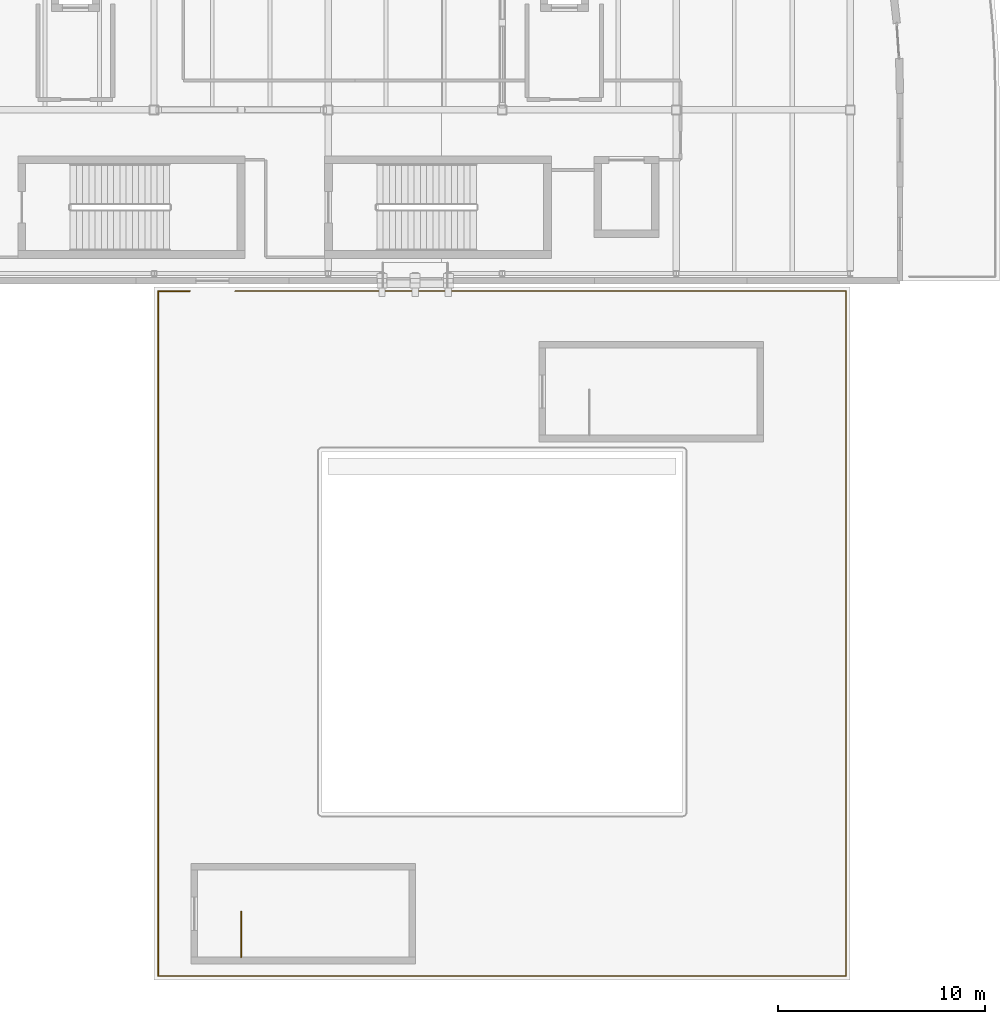
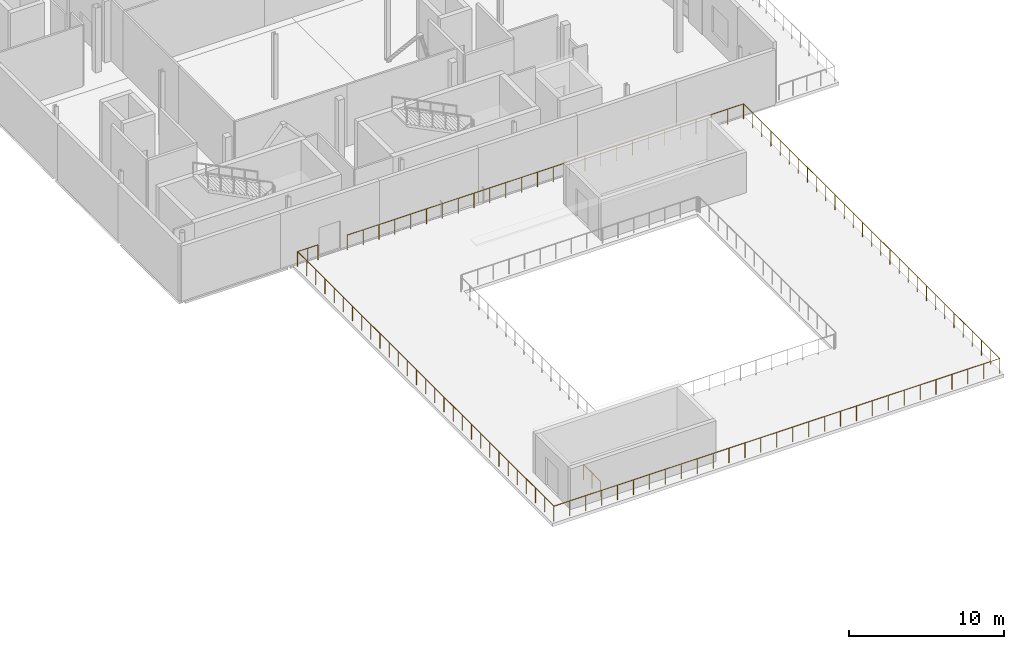
# One storey, part 53 of 57: 3 railings.
"""IFC4 building model written with IfcOpenShell, lengths in metres."""

import ifcopenshell
import ifcopenshell.guid

model = None  # the IFC model being written
_history = None  # IfcOwnerHistory: only IFC2X3 demands one
_inside = {}  # id of a spatial element -> (the spatial element, [elements in it])
_under = {}  # id of a project, library or spatial element -> (it, [spatial elements below it])
_declared = {}  # id of a project -> (the project, [libraries it declares])
_typed = {}  # id of a type object -> (the type object, [elements of that type])
_made_of = {}  # id of a material, layer set ... -> (it, [elements and type objects made of it])


def new_model(schema):
    """Start an empty IFC model of exactly this schema.

    Asked for "IFC4X3", IfcOpenShell would pick the latest addendum, in which some entities
    have other attributes; the version numbers below select the first issue.
    IFC2X3 requires an IfcOwnerHistory on every rooted entity: one is made here for all.
    """
    global model, _history
    if schema == "IFC4X3":
        model = ifcopenshell.file(schema_version=(4, 3, 0, 0))
    else:
        model = ifcopenshell.file(schema=schema)
    _inside.clear()
    _under.clear()
    _declared.clear()
    _typed.clear()
    _made_of.clear()
    _history = None
    if model.schema == "IFC2X3":
        org = make("IfcOrganization", Name="unknown")
        user = make(
            "IfcPersonAndOrganization",
            ThePerson=make("IfcPerson", FamilyName="unknown"),
            TheOrganization=org,
        )
        app = make(
            "IfcApplication",
            ApplicationDeveloper=org,
            Version="unknown",
            ApplicationFullName="unknown",
            ApplicationIdentifier="unknown",
        )
        _history = make(
            "IfcOwnerHistory",
            OwningUser=user,
            OwningApplication=app,
            ChangeAction="ADDED",
            CreationDate=0,
        )
    return model


def make(cls, **values):
    """One entity of the class cls with the attributes given. An attribute that is None is left unset."""
    return model.create_entity(
        cls, **{name: value for name, value in values.items() if value is not None}
    )


def rooted(cls, **values):
    """An entity with a GlobalId (a new one), such as an element, a storey or a relation."""
    return make(cls, GlobalId=ifcopenshell.guid.new(), OwnerHistory=_history, **values)


def si_unit(unit_type, name, prefix=None):
    """IfcSIUnit, for example si_unit("LENGTHUNIT", "METRE", prefix="MILLI")."""
    return make("IfcSIUnit", UnitType=unit_type, Prefix=prefix, Name=name)


def assignment(units):
    """IfcUnitAssignment: the units of a project."""
    return None if units is None else make("IfcUnitAssignment", Units=units)


def point(xyz):
    """IfcCartesianPoint."""
    return None if xyz is None else make("IfcCartesianPoint", Coordinates=xyz)


def direction(xyz):
    """IfcDirection."""
    return None if xyz is None else make("IfcDirection", DirectionRatios=xyz)


def frame(location, z_axis=None, x_axis=None):
    """IfcAxis2Placement3D, a coordinate frame: its origin and axes. An axis left out is left unset."""
    return make(
        "IfcAxis2Placement3D",
        Location=point(location),
        Axis=direction(z_axis),
        RefDirection=direction(x_axis),
    )


def frame_2d(location, x_axis=None):
    """IfcAxis2Placement2D, a coordinate frame in the plane: its origin and x axis."""
    return make(
        "IfcAxis2Placement2D", Location=point(location), RefDirection=direction(x_axis)
    )


def origin():
    """The frame at (0, 0, 0) with its axes left unset."""
    return frame((0.0, 0.0, 0.0))


def origin_2d():
    """The frame at (0, 0) in the plane with its x axis left unset."""
    return frame_2d((0.0, 0.0))


def place(relative_to, where):
    """IfcLocalPlacement: puts the frame where relative to a parent placement (None: the world)."""
    return make(
        "IfcLocalPlacement", PlacementRelTo=relative_to, RelativePlacement=where
    )


def context(
    kind, dimensions, precision=None, world=None, true_north=None, identifier=None
):
    """IfcGeometricRepresentationContext, for example the 3D "Model" context."""
    return make(
        "IfcGeometricRepresentationContext",
        ContextIdentifier=identifier,
        ContextType=kind,
        CoordinateSpaceDimension=dimensions,
        Precision=precision,
        WorldCoordinateSystem=world,
        TrueNorth=true_north,
    )


def subcontext(parent, identifier, kind, view, scale=None):
    """IfcGeometricRepresentationSubContext, for example "Body" below "Model"."""
    return make(
        "IfcGeometricRepresentationSubContext",
        ContextIdentifier=identifier,
        ContextType=kind,
        ParentContext=parent,
        TargetScale=scale,
        TargetView=view,
    )


def project(units=None, contexts=None):
    """IfcProject with its units and contexts."""
    return rooted(
        "IfcProject",
        Name="project",
        RepresentationContexts=contexts,
        UnitsInContext=assignment(units),
    )


def spatial(cls, under=None, at=None, **own):
    """A site, building, storey or space (cls), placed at a placement, below another one or the project."""
    s = rooted(cls, ObjectPlacement=at, **own)
    if under is not None:
        _under.setdefault(under.id(), (under, []))[1].append(s)
    return s


def profile(cls, at=None, kind="AREA", **sizes):
    """A parametric profile (cls). Its sizes go by their IFC names, for example OverallWidth=200.0."""
    return make(cls, ProfileType=kind, Position=at, **sizes)


def circle(**sizes):
    """IfcCircleProfileDef."""
    return profile("IfcCircleProfileDef", **sizes)


def extrude(swept, where, along, depth):
    """IfcExtrudedAreaSolid: the profile swept, set in the frame where, extruded along a direction by depth."""
    return make(
        "IfcExtrudedAreaSolid",
        SweptArea=swept,
        Position=where,
        ExtrudedDirection=direction(along),
        Depth=depth,
    )


def shape(context_of_items, identifier, shape_type, items):
    """IfcShapeRepresentation: the items that make up one representation, for example the "Body"."""
    return make(
        "IfcShapeRepresentation",
        ContextOfItems=context_of_items,
        RepresentationIdentifier=identifier,
        RepresentationType=shape_type,
        Items=items,
    )


def material(Name=None, Category=None):
    """IfcMaterial."""
    return make("IfcMaterial", Name=Name, Category=Category)


def made_of(thing, what):
    """Note that an element or type object is made of a material, layer set ...; save() writes the relation."""
    if what is not None:
        _made_of.setdefault(what.id(), (what, []))[1].append(thing)
    return thing


def type_object(cls, material=None, **own):
    """A type object (cls), such as IfcWallType, which elements share."""
    return made_of(rooted(cls, **own), material)


def element(
    cls,
    number,
    at=None,
    inside=None,
    cuts=None,
    type_object=None,
    material=None,
    context=None,
    identifier="Body",
    shape_type=None,
    held_by="IfcProductDefinitionShape",
    body=None,
    shapes=None,
    **own,
):
    """One element of the class cls, such as IfcWall. Its Tag is "e" and its number.

    at: its placement. inside: the storey or other place that contains it. cuts: it is an
    opening in that element (IfcRelVoidsElement). A single representation is given by context,
    identifier, shape_type and body (its items); several are given by shapes. held_by: the class
    of the entity that holds the representations. save() writes the other relations.
    """
    e = rooted(cls, Tag="e%d" % number, ObjectPlacement=at, **own)
    if body is not None:
        shapes = [shape(context, identifier, shape_type, body)]
    if shapes is not None:
        e.Representation = make(held_by, Representations=shapes)
    if inside is not None:
        _inside.setdefault(inside.id(), (inside, []))[1].append(e)
    if cuts is not None:
        rooted(
            "IfcRelVoidsElement", RelatingBuildingElement=cuts, RelatedOpeningElement=e
        )
    if type_object is not None:
        _typed.setdefault(type_object.id(), (type_object, []))[1].append(e)
    return made_of(e, material)


def aggregate(whole, parts):
    """IfcRelAggregates: a whole, such as a stair, and the parts it consists of."""
    return rooted("IfcRelAggregates", RelatingObject=whole, RelatedObjects=parts)


def save(model, path):
    """Write the relations noted so far, then the file.

    IfcRelAggregates (storeys below a building ...), IfcRelContainedInSpatialStructure (elements
    in a storey), IfcRelDefinesByType, IfcRelAssociatesMaterial and IfcRelDeclares: one each for
    every whole, place, type object, material and project.
    """
    for whole, parts in _under.values():
        aggregate(whole, parts)
    for where, things in _inside.values():
        rooted(
            "IfcRelContainedInSpatialStructure",
            RelatedElements=things,
            RelatingStructure=where,
        )
    for kind, things in _typed.values():
        rooted("IfcRelDefinesByType", RelatedObjects=things, RelatingType=kind)
    for what, things in _made_of.values():
        rooted("IfcRelAssociatesMaterial", RelatedObjects=things, RelatingMaterial=what)
    for by, libraries in _declared.values():
        rooted("IfcRelDeclares", RelatingContext=by, RelatedDefinitions=libraries)
    model.write(path)


model = new_model("IFC4")

# Units and contexts
model_context = context("Model", 3, precision=1e-05, world=origin(), true_north=direction((0.0, 1.0)))
body_context = subcontext(model_context, "Body", "Model", "MODEL_VIEW")
ifc_project = project(units=[si_unit("LENGTHUNIT", "METRE"), si_unit("AREAUNIT", "SQUARE_METRE"), si_unit("VOLUMEUNIT", "CUBIC_METRE"), si_unit("PLANEANGLEUNIT", "RADIAN"), si_unit("MASSUNIT", "GRAM", prefix="KILO"), si_unit("THERMODYNAMICTEMPERATUREUNIT", "KELVIN")], contexts=[model_context])

# Site, building, storey
site_placement = place(None, origin())
site = spatial("IfcSite", under=ifc_project, at=site_placement, CompositionType="ELEMENT")
building_placement = place(site_placement, origin())
building = spatial("IfcBuilding", under=site, at=building_placement, Name="Lustrewick Department Store", CompositionType="ELEMENT")
storey_placement = place(building_placement, frame((0.0, 0.0, 26.699951171875)))
storey = spatial("IfcBuildingStorey", under=building, at=storey_placement, Name="L06", CompositionType="ELEMENT", Elevation=26.699951171875)

# Railings
ifc_material_1 = material(Name="Laminated glass and anodized aluminium guardrail", Category="aluminium")
railing_type_1 = type_object("IfcRailingType", Name="RL-EXT", PredefinedType="GUARDRAIL", material=ifc_material_1)
railing_1_placement = place(storey_placement, frame((117.800048828125, 17.0, 0.0)))
element("IfcRailing", 1, at=railing_1_placement, inside=storey, type_object=railing_type_1, Name="L06 Terrace Perimeter Guardrail 0009", PredefinedType="GUARDRAIL", context=body_context, shape_type="SweptSolid", body=[
    extrude(circle(Radius=0.02392578125, at=origin_2d()), frame((0.0, 0.0, 1.17578125), z_axis=(0.0, 1.0, 0.0), x_axis=(-1.0, 0.0, 0.0)), (0.0, 0.0, 1.0), 33.050048828125),
    extrude(circle(Radius=0.02392578125, at=origin_2d()), frame((0.0, 33.050048828125, 1.17578125), z_axis=(1.0, 0.0, 0.0), x_axis=(0.0, 1.0, 0.0)), (0.0, 0.0, 1.0), 1.52294921875),
    extrude(circle(Radius=0.02099609375, at=origin_2d()), origin(), (0.0, 0.0, 1.0), 1.15185546875),
    extrude(circle(Radius=0.02099609375, at=origin_2d()), frame((0.0, 1.180419921875, 0.0)), (0.0, 0.0, 1.0), 1.15185546875),
    extrude(circle(Radius=0.02099609375, at=origin_2d()), frame((0.0, 2.36083984375, 0.0)), (0.0, 0.0, 1.0), 1.15185546875),
    extrude(circle(Radius=0.02099609375, at=origin_2d()), frame((0.0, 3.541015625, 0.0)), (0.0, 0.0, 1.0), 1.15185546875),
    extrude(circle(Radius=0.02099609375, at=origin_2d()), frame((0.0, 4.721435546875, 0.0)), (0.0, 0.0, 1.0), 1.15185546875),
    extrude(circle(Radius=0.02099609375, at=origin_2d()), frame((0.0, 5.90185546875, 0.0)), (0.0, 0.0, 1.0), 1.15185546875),
    extrude(circle(Radius=0.02099609375, at=origin_2d()), frame((0.0, 7.08203125, 0.0)), (0.0, 0.0, 1.0), 1.15185546875),
    extrude(circle(Radius=0.02099609375, at=origin_2d()), frame((0.0, 8.262451171875, 0.0)), (0.0, 0.0, 1.0), 1.15185546875),
    extrude(circle(Radius=0.02099609375, at=origin_2d()), frame((0.0, 9.44287109375, 0.0)), (0.0, 0.0, 1.0), 1.15185546875),
    extrude(circle(Radius=0.02099609375, at=origin_2d()), frame((0.0, 10.623291015625, 0.0)), (0.0, 0.0, 1.0), 1.15185546875),
    extrude(circle(Radius=0.02099609375, at=origin_2d()), frame((0.0, 11.8037109375, 0.0)), (0.0, 0.0, 1.0), 1.15185546875),
    extrude(circle(Radius=0.02099609375, at=origin_2d()), frame((0.0, 12.98388671875, 0.0)), (0.0, 0.0, 1.0), 1.15185546875),
    extrude(circle(Radius=0.02099609375, at=origin_2d()), frame((0.0, 14.164306640625, 0.0)), (0.0, 0.0, 1.0), 1.15185546875),
    extrude(circle(Radius=0.02099609375, at=origin_2d()), frame((0.0, 15.3447265625, 0.0)), (0.0, 0.0, 1.0), 1.15185546875),
    extrude(circle(Radius=0.02099609375, at=origin_2d()), frame((0.0, 16.52490234375, 0.0)), (0.0, 0.0, 1.0), 1.15185546875),
    extrude(circle(Radius=0.02099609375, at=origin_2d()), frame((0.0, 17.705322265625, 0.0)), (0.0, 0.0, 1.0), 1.15185546875),
    extrude(circle(Radius=0.02099609375, at=origin_2d()), frame((0.0, 18.8857421875, 0.0)), (0.0, 0.0, 1.0), 1.15185546875),
    extrude(circle(Radius=0.02099609375, at=origin_2d()), frame((0.0, 20.066162109375, 0.0)), (0.0, 0.0, 1.0), 1.15185546875),
    extrude(circle(Radius=0.02099609375, at=origin_2d()), frame((0.0, 21.24658203125, 0.0)), (0.0, 0.0, 1.0), 1.15185546875),
    extrude(circle(Radius=0.02099609375, at=origin_2d()), frame((0.0, 22.4267578125, 0.0)), (0.0, 0.0, 1.0), 1.15185546875),
    extrude(circle(Radius=0.02099609375, at=origin_2d()), frame((0.0, 23.607177734375, 0.0)), (0.0, 0.0, 1.0), 1.15185546875),
    extrude(circle(Radius=0.02099609375, at=origin_2d()), frame((0.0, 24.78759765625, 0.0)), (0.0, 0.0, 1.0), 1.15185546875),
    extrude(circle(Radius=0.02099609375, at=origin_2d()), frame((0.0, 25.9677734375, 0.0)), (0.0, 0.0, 1.0), 1.15185546875),
    extrude(circle(Radius=0.02099609375, at=origin_2d()), frame((0.0, 27.148193359375, 0.0)), (0.0, 0.0, 1.0), 1.15185546875),
    extrude(circle(Radius=0.02099609375, at=origin_2d()), frame((0.0, 28.32861328125, 0.0)), (0.0, 0.0, 1.0), 1.15185546875),
    extrude(circle(Radius=0.02099609375, at=origin_2d()), frame((0.0, 29.509033203125, 0.0)), (0.0, 0.0, 1.0), 1.15185546875),
    extrude(circle(Radius=0.02099609375, at=origin_2d()), frame((0.0, 30.689453125, 0.0)), (0.0, 0.0, 1.0), 1.15185546875),
    extrude(circle(Radius=0.02099609375, at=origin_2d()), frame((0.0, 31.86962890625, 0.0)), (0.0, 0.0, 1.0), 1.15185546875),
    extrude(circle(Radius=0.02099609375, at=origin_2d()), frame((0.0, 33.050048828125, 0.0)), (0.0, 0.0, 1.0), 1.15185546875),
    extrude(circle(Radius=0.02099609375, at=origin_2d()), frame((0.761474609375, 33.050048828125, 0.0)), (0.0, 0.0, 1.0), 1.15185546875),
    extrude(circle(Radius=0.02099609375, at=origin_2d()), frame((1.52294921875, 33.050048828125, 0.0)), (0.0, 0.0, 1.0), 1.15185546875),
])
railing_2_placement = place(storey_placement, frame((121.501953125, 50.050048828125, 0.0)))
element("IfcRailing", 2, at=railing_2_placement, inside=storey, type_object=railing_type_1, Name="L06 Terrace Perimeter Guardrail 0010", PredefinedType="GUARDRAIL", context=body_context, shape_type="SweptSolid", body=[
    extrude(circle(Radius=0.02392578125, at=origin_2d()), frame((0.0, 0.0, 1.17578125), z_axis=(1.0, 0.0, 0.0), x_axis=(0.0, 1.0, 0.0)), (0.0, 0.0, 1.0), 29.498046875),
    extrude(circle(Radius=0.02392578125, at=origin_2d()), frame((29.498046875, 0.0, 1.17578125), z_axis=(0.0, -1.0, 0.0), x_axis=(1.0, 0.0, 0.0)), (0.0, 0.0, 1.0), 33.050048828125),
    extrude(circle(Radius=0.02392578125, at=origin_2d()), frame((29.498046875, -33.050048828125, 1.17578125), z_axis=(-1.0, 0.0, 0.0), x_axis=(0.0, -1.0, 0.0)), (0.0, 0.0, 1.0), 33.199951171875),
    extrude(circle(Radius=0.02099609375, at=origin_2d()), origin(), (0.0, 0.0, 1.0), 1.15185546875),
    extrude(circle(Radius=0.02099609375, at=origin_2d()), frame((1.179931640625, 0.0, 0.0)), (0.0, 0.0, 1.0), 1.15185546875),
    extrude(circle(Radius=0.02099609375, at=origin_2d()), frame((2.35986328125, 0.0, 0.0)), (0.0, 0.0, 1.0), 1.15185546875),
    extrude(circle(Radius=0.02099609375, at=origin_2d()), frame((3.539794921875, 0.0, 0.0)), (0.0, 0.0, 1.0), 1.15185546875),
    extrude(circle(Radius=0.02099609375, at=origin_2d()), frame((4.7197265625, 0.0, 0.0)), (0.0, 0.0, 1.0), 1.15185546875),
    extrude(circle(Radius=0.02099609375, at=origin_2d()), frame((5.899658203125, 0.0, 0.0)), (0.0, 0.0, 1.0), 1.15185546875),
    extrude(circle(Radius=0.02099609375, at=origin_2d()), frame((7.07958984375, 0.0, 0.0)), (0.0, 0.0, 1.0), 1.15185546875),
    extrude(circle(Radius=0.02099609375, at=origin_2d()), frame((8.259521484375, 0.0, 0.0)), (0.0, 0.0, 1.0), 1.15185546875),
    extrude(circle(Radius=0.02099609375, at=origin_2d()), frame((9.439453125, 0.0, 0.0)), (0.0, 0.0, 1.0), 1.15185546875),
    extrude(circle(Radius=0.02099609375, at=origin_2d()), frame((10.619384765625, 0.0, 0.0)), (0.0, 0.0, 1.0), 1.15185546875),
    extrude(circle(Radius=0.02099609375, at=origin_2d()), frame((11.79931640625, 0.0, 0.0)), (0.0, 0.0, 1.0), 1.15185546875),
    extrude(circle(Radius=0.02099609375, at=origin_2d()), frame((12.979248046875, 0.0, 0.0)), (0.0, 0.0, 1.0), 1.15185546875),
    extrude(circle(Radius=0.02099609375, at=origin_2d()), frame((14.1591796875, 0.0, 0.0)), (0.0, 0.0, 1.0), 1.15185546875),
    extrude(circle(Radius=0.02099609375, at=origin_2d()), frame((15.3388671875, 0.0, 0.0)), (0.0, 0.0, 1.0), 1.15185546875),
    extrude(circle(Radius=0.02099609375, at=origin_2d()), frame((16.518798828125, 0.0, 0.0)), (0.0, 0.0, 1.0), 1.15185546875),
    extrude(circle(Radius=0.02099609375, at=origin_2d()), frame((17.69873046875, 0.0, 0.0)), (0.0, 0.0, 1.0), 1.15185546875),
    extrude(circle(Radius=0.02099609375, at=origin_2d()), frame((18.878662109375, 0.0, 0.0)), (0.0, 0.0, 1.0), 1.15185546875),
    extrude(circle(Radius=0.02099609375, at=origin_2d()), frame((20.05859375, 0.0, 0.0)), (0.0, 0.0, 1.0), 1.15185546875),
    extrude(circle(Radius=0.02099609375, at=origin_2d()), frame((21.238525390625, 0.0, 0.0)), (0.0, 0.0, 1.0), 1.15185546875),
    extrude(circle(Radius=0.02099609375, at=origin_2d()), frame((22.41845703125, 0.0, 0.0)), (0.0, 0.0, 1.0), 1.15185546875),
    extrude(circle(Radius=0.02099609375, at=origin_2d()), frame((23.598388671875, 0.0, 0.0)), (0.0, 0.0, 1.0), 1.15185546875),
    extrude(circle(Radius=0.02099609375, at=origin_2d()), frame((24.7783203125, 0.0, 0.0)), (0.0, 0.0, 1.0), 1.15185546875),
    extrude(circle(Radius=0.02099609375, at=origin_2d()), frame((25.958251953125, 0.0, 0.0)), (0.0, 0.0, 1.0), 1.15185546875),
    extrude(circle(Radius=0.02099609375, at=origin_2d()), frame((27.13818359375, 0.0, 0.0)), (0.0, 0.0, 1.0), 1.15185546875),
    extrude(circle(Radius=0.02099609375, at=origin_2d()), frame((28.318115234375, 0.0, 0.0)), (0.0, 0.0, 1.0), 1.15185546875),
    extrude(circle(Radius=0.02099609375, at=origin_2d()), frame((29.498046875, 0.0, 0.0)), (0.0, 0.0, 1.0), 1.15185546875),
    extrude(circle(Radius=0.02099609375, at=origin_2d()), frame((29.498046875, -1.180419921875, 0.0)), (0.0, 0.0, 1.0), 1.15185546875),
    extrude(circle(Radius=0.02099609375, at=origin_2d()), frame((29.498046875, -2.36083984375, 0.0)), (0.0, 0.0, 1.0), 1.15185546875),
    extrude(circle(Radius=0.02099609375, at=origin_2d()), frame((29.498046875, -3.541015625, 0.0)), (0.0, 0.0, 1.0), 1.15185546875),
    extrude(circle(Radius=0.02099609375, at=origin_2d()), frame((29.498046875, -4.721435546875, 0.0)), (0.0, 0.0, 1.0), 1.15185546875),
    extrude(circle(Radius=0.02099609375, at=origin_2d()), frame((29.498046875, -5.90185546875, 0.0)), (0.0, 0.0, 1.0), 1.15185546875),
    extrude(circle(Radius=0.02099609375, at=origin_2d()), frame((29.498046875, -7.08203125, 0.0)), (0.0, 0.0, 1.0), 1.15185546875),
    extrude(circle(Radius=0.02099609375, at=origin_2d()), frame((29.498046875, -8.262451171875, 0.0)), (0.0, 0.0, 1.0), 1.15185546875),
    extrude(circle(Radius=0.02099609375, at=origin_2d()), frame((29.498046875, -9.44287109375, 0.0)), (0.0, 0.0, 1.0), 1.15185546875),
    extrude(circle(Radius=0.02099609375, at=origin_2d()), frame((29.498046875, -10.623291015625, 0.0)), (0.0, 0.0, 1.0), 1.15185546875),
    extrude(circle(Radius=0.02099609375, at=origin_2d()), frame((29.498046875, -11.8037109375, 0.0)), (0.0, 0.0, 1.0), 1.15185546875),
    extrude(circle(Radius=0.02099609375, at=origin_2d()), frame((29.498046875, -12.98388671875, 0.0)), (0.0, 0.0, 1.0), 1.15185546875),
    extrude(circle(Radius=0.02099609375, at=origin_2d()), frame((29.498046875, -14.164306640625, 0.0)), (0.0, 0.0, 1.0), 1.15185546875),
    extrude(circle(Radius=0.02099609375, at=origin_2d()), frame((29.498046875, -15.3447265625, 0.0)), (0.0, 0.0, 1.0), 1.15185546875),
    extrude(circle(Radius=0.02099609375, at=origin_2d()), frame((29.498046875, -16.52490234375, 0.0)), (0.0, 0.0, 1.0), 1.15185546875),
    extrude(circle(Radius=0.02099609375, at=origin_2d()), frame((29.498046875, -17.705322265625, 0.0)), (0.0, 0.0, 1.0), 1.15185546875),
    extrude(circle(Radius=0.02099609375, at=origin_2d()), frame((29.498046875, -18.8857421875, 0.0)), (0.0, 0.0, 1.0), 1.15185546875),
    extrude(circle(Radius=0.02099609375, at=origin_2d()), frame((29.498046875, -20.066162109375, 0.0)), (0.0, 0.0, 1.0), 1.15185546875),
    extrude(circle(Radius=0.02099609375, at=origin_2d()), frame((29.498046875, -21.24658203125, 0.0)), (0.0, 0.0, 1.0), 1.15185546875),
    extrude(circle(Radius=0.02099609375, at=origin_2d()), frame((29.498046875, -22.4267578125, 0.0)), (0.0, 0.0, 1.0), 1.15185546875),
    extrude(circle(Radius=0.02099609375, at=origin_2d()), frame((29.498046875, -23.607177734375, 0.0)), (0.0, 0.0, 1.0), 1.15185546875),
    extrude(circle(Radius=0.02099609375, at=origin_2d()), frame((29.498046875, -24.78759765625, 0.0)), (0.0, 0.0, 1.0), 1.15185546875),
    extrude(circle(Radius=0.02099609375, at=origin_2d()), frame((29.498046875, -25.9677734375, 0.0)), (0.0, 0.0, 1.0), 1.15185546875),
    extrude(circle(Radius=0.02099609375, at=origin_2d()), frame((29.498046875, -27.148193359375, 0.0)), (0.0, 0.0, 1.0), 1.15185546875),
    extrude(circle(Radius=0.02099609375, at=origin_2d()), frame((29.498046875, -28.32861328125, 0.0)), (0.0, 0.0, 1.0), 1.15185546875),
    extrude(circle(Radius=0.02099609375, at=origin_2d()), frame((29.498046875, -29.509033203125, 0.0)), (0.0, 0.0, 1.0), 1.15185546875),
    extrude(circle(Radius=0.02099609375, at=origin_2d()), frame((29.498046875, -30.689453125, 0.0)), (0.0, 0.0, 1.0), 1.15185546875),
    extrude(circle(Radius=0.02099609375, at=origin_2d()), frame((29.498046875, -31.86962890625, 0.0)), (0.0, 0.0, 1.0), 1.15185546875),
    extrude(circle(Radius=0.02099609375, at=origin_2d()), frame((29.498046875, -33.050048828125, 0.0)), (0.0, 0.0, 1.0), 1.15185546875),
    extrude(circle(Radius=0.02099609375, at=origin_2d()), frame((28.312255859375, -33.050048828125, 0.0)), (0.0, 0.0, 1.0), 1.15185546875),
    extrude(circle(Radius=0.02099609375, at=origin_2d()), frame((27.126708984375, -33.050048828125, 0.0)), (0.0, 0.0, 1.0), 1.15185546875),
    extrude(circle(Radius=0.02099609375, at=origin_2d()), frame((25.94091796875, -33.050048828125, 0.0)), (0.0, 0.0, 1.0), 1.15185546875),
    extrude(circle(Radius=0.02099609375, at=origin_2d()), frame((24.755126953125, -33.050048828125, 0.0)), (0.0, 0.0, 1.0), 1.15185546875),
    extrude(circle(Radius=0.02099609375, at=origin_2d()), frame((23.569580078125, -33.050048828125, 0.0)), (0.0, 0.0, 1.0), 1.15185546875),
    extrude(circle(Radius=0.02099609375, at=origin_2d()), frame((22.3837890625, -33.050048828125, 0.0)), (0.0, 0.0, 1.0), 1.15185546875),
    extrude(circle(Radius=0.02099609375, at=origin_2d()), frame((21.197998046875, -33.050048828125, 0.0)), (0.0, 0.0, 1.0), 1.15185546875),
    extrude(circle(Radius=0.02099609375, at=origin_2d()), frame((20.012451171875, -33.050048828125, 0.0)), (0.0, 0.0, 1.0), 1.15185546875),
    extrude(circle(Radius=0.02099609375, at=origin_2d()), frame((18.82666015625, -33.050048828125, 0.0)), (0.0, 0.0, 1.0), 1.15185546875),
    extrude(circle(Radius=0.02099609375, at=origin_2d()), frame((17.640869140625, -33.050048828125, 0.0)), (0.0, 0.0, 1.0), 1.15185546875),
    extrude(circle(Radius=0.02099609375, at=origin_2d()), frame((16.455322265625, -33.050048828125, 0.0)), (0.0, 0.0, 1.0), 1.15185546875),
    extrude(circle(Radius=0.02099609375, at=origin_2d()), frame((15.26953125, -33.050048828125, 0.0)), (0.0, 0.0, 1.0), 1.15185546875),
    extrude(circle(Radius=0.02099609375, at=origin_2d()), frame((14.083740234375, -33.050048828125, 0.0)), (0.0, 0.0, 1.0), 1.15185546875),
    extrude(circle(Radius=0.02099609375, at=origin_2d()), frame((12.89794921875, -33.050048828125, 0.0)), (0.0, 0.0, 1.0), 1.15185546875),
    extrude(circle(Radius=0.02099609375, at=origin_2d()), frame((11.71240234375, -33.050048828125, 0.0)), (0.0, 0.0, 1.0), 1.15185546875),
    extrude(circle(Radius=0.02099609375, at=origin_2d()), frame((10.526611328125, -33.050048828125, 0.0)), (0.0, 0.0, 1.0), 1.15185546875),
    extrude(circle(Radius=0.02099609375, at=origin_2d()), frame((9.3408203125, -33.050048828125, 0.0)), (0.0, 0.0, 1.0), 1.15185546875),
    extrude(circle(Radius=0.02099609375, at=origin_2d()), frame((8.1552734375, -33.050048828125, 0.0)), (0.0, 0.0, 1.0), 1.15185546875),
    extrude(circle(Radius=0.02099609375, at=origin_2d()), frame((6.969482421875, -33.050048828125, 0.0)), (0.0, 0.0, 1.0), 1.15185546875),
    extrude(circle(Radius=0.02099609375, at=origin_2d()), frame((5.78369140625, -33.050048828125, 0.0)), (0.0, 0.0, 1.0), 1.15185546875),
    extrude(circle(Radius=0.02099609375, at=origin_2d()), frame((4.59814453125, -33.050048828125, 0.0)), (0.0, 0.0, 1.0), 1.15185546875),
    extrude(circle(Radius=0.02099609375, at=origin_2d()), frame((3.412353515625, -33.050048828125, 0.0)), (0.0, 0.0, 1.0), 1.15185546875),
    extrude(circle(Radius=0.02099609375, at=origin_2d()), frame((2.2265625, -33.050048828125, 0.0)), (0.0, 0.0, 1.0), 1.15185546875),
    extrude(circle(Radius=0.02099609375, at=origin_2d()), frame((1.041015625, -33.050048828125, 0.0)), (0.0, 0.0, 1.0), 1.15185546875),
    extrude(circle(Radius=0.02099609375, at=origin_2d()), frame((-0.144775390625, -33.050048828125, 0.0)), (0.0, 0.0, 1.0), 1.15185546875),
    extrude(circle(Radius=0.02099609375, at=origin_2d()), frame((-1.33056640625, -33.050048828125, 0.0)), (0.0, 0.0, 1.0), 1.15185546875),
    extrude(circle(Radius=0.02099609375, at=origin_2d()), frame((-2.51611328125, -33.050048828125, 0.0)), (0.0, 0.0, 1.0), 1.15185546875),
    extrude(circle(Radius=0.02099609375, at=origin_2d()), frame((-3.701904296875, -33.050048828125, 0.0)), (0.0, 0.0, 1.0), 1.15185546875),
])
ifc_material_2 = material(Name="Painted tubular steel stairwell guardrail", Category="steel")
railing_type_2 = type_object("IfcRailingType", Name="RL-STG", PredefinedType="GUARDRAIL", material=ifc_material_2)
railing_3_placement = place(storey_placement, frame((121.800048828125, 17.89990234375, 0.0)))
element("IfcRailing", 3, at=railing_3_placement, inside=storey, type_object=railing_type_2, Name="L06 ST07 Top Well Guard 1", PredefinedType="GUARDRAIL", context=body_context, shape_type="SweptSolid", body=[
    extrude(circle(Radius=0.02392578125, at=origin_2d()), frame((0.0, 0.0, 1.17578125), z_axis=(0.0, 1.0, 0.0), x_axis=(-1.0, 0.0, 0.0)), (0.0, 0.0, 1.0), 2.2001953125),
    extrude(circle(Radius=0.02099609375, at=origin_2d()), origin(), (0.0, 0.0, 1.0), 1.15185546875),
    extrude(circle(Radius=0.02099609375, at=origin_2d()), frame((0.0, 1.10009765625, 0.0)), (0.0, 0.0, 1.0), 1.15185546875),
    extrude(circle(Radius=0.02099609375, at=origin_2d()), frame((0.0, 2.2001953125, 0.0)), (0.0, 0.0, 1.0), 1.15185546875),
])

save(model, "model.ifc")
